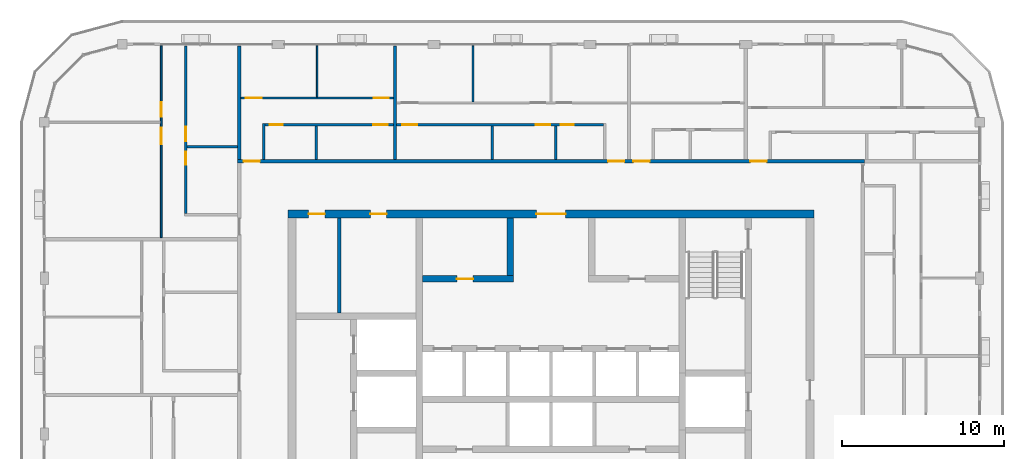
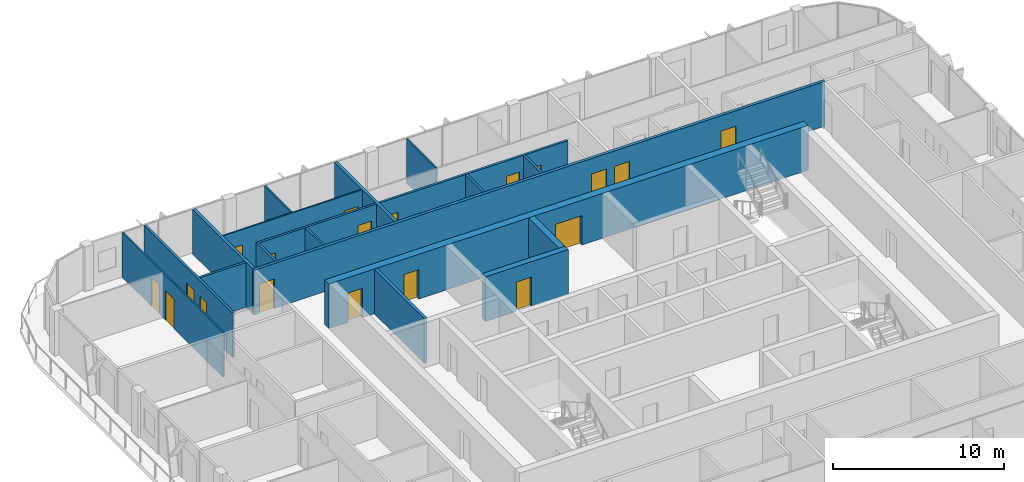
# One storey, part 13 of 21: 19 doors, 19 walls, 19 openings.
"""IFC4 building model written with IfcOpenShell, lengths in metres."""

from ifc_helpers import new_model, si_unit, direction, frame, frame_2d, origin, place, context, subcontext, project, spatial, rectangle, extrude, material, layer, layer_set, type_object, element, fill, save


model = new_model("IFC4")

# Units and contexts
model_context = context("Model", 3, precision=1e-05, world=origin(), true_north=direction((0.0, 1.0)))
body_context = subcontext(model_context, "Body", "Model", "MODEL_VIEW")
ifc_project = project(units=[si_unit("LENGTHUNIT", "METRE"), si_unit("AREAUNIT", "SQUARE_METRE"), si_unit("VOLUMEUNIT", "CUBIC_METRE"), si_unit("PLANEANGLEUNIT", "RADIAN"), si_unit("MASSUNIT", "GRAM", prefix="KILO")], contexts=[model_context])

# Site, building, storey
site_placement = place(None, origin())
site = spatial("IfcSite", under=ifc_project, at=site_placement, CompositionType="ELEMENT")
building_placement = place(site_placement, origin())
building = spatial("IfcBuilding", under=site, at=building_placement, Name="Madar Terraces", CompositionType="ELEMENT")
storey_placement = place(building_placement, frame((0.0, 0.0, 275.60009765625)))
storey = spatial("IfcBuildingStorey", under=building, at=storey_placement, Name="L72", CompositionType="ELEMENT", Elevation=275.60009765625)

# Wall, opening, door
ifc_material_1 = material(Name="Concrete C50/60", Category="concrete")
ifc_layer_1 = layer(ifc_material_1, 0.39990234375)
ifc_layer_set_1 = layer_set([ifc_layer_1], Name="Concrete C50/60 (CIW6 RC wall 400)")
wall_type_1 = type_object("IfcWallType", Name="CIW6 RC wall 400", PredefinedType="SHEAR", material=ifc_layer_set_1)
wall_1_placement = place(storey_placement, frame((23.300048828125, 33.550048828125, 0.0), z_axis=(0.0, 0.0, 1.0), x_axis=(1.0, 0.0, 0.0)))
wall_1 = element("IfcWall", 1, at=wall_1_placement, inside=storey, type_object=wall_type_1, Name="CORE SHAFT WALL", PredefinedType="SHEAR", context=body_context, shape_type="SweptSolid", body=[
    extrude(rectangle(XDim=5.599853515625, YDim=0.39990234375, at=frame_2d((2.7998046875, 0.0))), origin(), (0.0, 0.0, 1.0), 3.199951171875),
])
opening_1_placement = place(wall_1_placement, frame((2.10009765625, 0.0, 0.0)))
opening_1 = element("IfcOpeningElement", 2, at=opening_1_placement, cuts=wall_1, Name="Opening KD2", PredefinedType="OPENING", context=body_context, shape_type="SweptSolid", body=[
    extrude(rectangle(XDim=1.0, YDim=2.10009765625, at=frame_2d((0.5, 1.050048828125))), frame((0.0, 0.2099609375, 0.0), z_axis=(0.0, -1.0, 0.0), x_axis=(1.0, 0.0, 0.0)), (0.0, 0.0, 1.0), 0.419921875),
])
ifc_material_2 = material(Name="Steel door leaf", Category="steel")
door_type_1 = type_object("IfcDoorType", Name="Service room door 1000 x 2100", OperationType="NOTDEFINED", PredefinedType="DOOR", material=ifc_material_2)
door_1_placement = place(opening_1_placement, frame((1.0, 0.0, 0.0), z_axis=(0.0, 0.0, 1.0), x_axis=(-1.0, 0.0, 0.0)))
door_1 = element("IfcDoor", 3, at=door_1_placement, inside=storey, type_object=door_type_1, Name="SERVICE ROOM DOOR", OperationType="SINGLE_SWING_LEFT", OverallHeight=2.10009765625, OverallWidth=1.0, PredefinedType="DOOR", context=body_context, shape_type="SweptSolid", body=[
    extrude(rectangle(XDim=1.0, YDim=2.10009765625, at=frame_2d((0.5, 1.050048828125))), frame((0.0, 0.02490234375, 0.0), z_axis=(0.0, -1.0, 0.0), x_axis=(1.0, 0.0, 0.0)), (0.0, 0.0, 1.0), 0.050048828125),
])
fill(opening_1, door_1)

# Wall
wall_2_placement = place(storey_placement, frame((28.699951171875, 33.75, 0.0), z_axis=(0.0, 0.0, 1.0), x_axis=(0.0, 1.0, 0.0)))
element("IfcWall", 4, at=wall_2_placement, inside=storey, type_object=wall_type_1, Name="CORE SHAFT WALL", PredefinedType="SHEAR", context=body_context, shape_type="SweptSolid", body=[
    extrude(rectangle(XDim=3.550048828125, YDim=0.39990234375, at=frame_2d((1.77490234375, 0.0))), origin(), (0.0, 0.0, 1.0), 3.199951171875),
])

# Wall, openings, doors
ifc_material_3 = material(Name="Concrete C50/60", Category="concrete")
ifc_layer_2 = layer(ifc_material_3, 0.5)
ifc_layer_set_2 = layer_set([ifc_layer_2], Name="Concrete C50/60 (CRW6 RC wall 500)")
wall_type_2 = type_object("IfcWallType", Name="CRW6 RC wall 500", PredefinedType="SHEAR", material=ifc_layer_set_2)
wall_3_placement = place(storey_placement, frame((15.0, 37.550048828125, 0.0), z_axis=(0.0, 0.0, 1.0), x_axis=(1.0, 0.0, 0.0)))
wall_3 = element("IfcWall", 5, at=wall_3_placement, inside=storey, type_object=wall_type_2, Name="CORE OUTER WALL", PredefinedType="SHEAR", context=body_context, shape_type="SweptSolid", body=[
    extrude(rectangle(XDim=32.39990234375, YDim=0.5, at=frame_2d((16.199951171875, 0.0))), origin(), (0.0, 0.0, 1.0), 3.199951171875),
])
opening_2_placement = place(wall_3_placement, frame((15.300048828125, 0.0, 0.0)))
opening_2 = element("IfcOpeningElement", 6, at=opening_2_placement, cuts=wall_3, Name="Opening KD1", PredefinedType="OPENING", context=body_context, shape_type="SweptSolid", body=[
    extrude(rectangle(XDim=1.800048828125, YDim=2.10009765625, at=frame_2d((0.89990234375, 1.050048828125))), frame((0.0, 0.260009765625, 0.0), z_axis=(0.0, -1.0, 0.0), x_axis=(1.0, 0.0, 0.0)), (0.0, 0.0, 1.0), 0.52001953125),
])
opening_3_placement = place(wall_3_placement, frame((1.281982421875, 0.0, 0.0)))
opening_3 = element("IfcOpeningElement", 7, at=opening_3_placement, cuts=wall_3, Name="Opening KD2", PredefinedType="OPENING", context=body_context, shape_type="SweptSolid", body=[
    extrude(rectangle(XDim=1.0, YDim=2.10009765625, at=frame_2d((0.5, 1.050048828125))), frame((0.0, 0.260009765625, 0.0), z_axis=(0.0, -1.0, 0.0), x_axis=(1.0, 0.0, 0.0)), (0.0, 0.0, 1.0), 0.52001953125),
])
opening_4_placement = place(wall_3_placement, frame((5.08203125, 0.0, 0.0)))
opening_4 = element("IfcOpeningElement", 8, at=opening_4_placement, cuts=wall_3, Name="Opening KD2", PredefinedType="OPENING", context=body_context, shape_type="SweptSolid", body=[
    extrude(rectangle(XDim=1.0, YDim=2.10009765625, at=frame_2d((0.5, 1.050048828125))), frame((0.0, 0.260009765625, 0.0), z_axis=(0.0, -1.0, 0.0), x_axis=(1.0, 0.0, 0.0)), (0.0, 0.0, 1.0), 0.52001953125),
])
ifc_material_4 = material(Name="Steel door leaf", Category="steel")
door_type_2 = type_object("IfcDoorType", Name="Lobby door pair 1800 x 2100", OperationType="DOUBLE_DOOR_SINGLE_SWING", PredefinedType="DOOR", material=ifc_material_4)
door_2_placement = place(opening_2_placement, origin())
door_2 = element("IfcDoor", 9, at=door_2_placement, inside=storey, type_object=door_type_2, Name="LIFT LOBBY DOOR", OperationType="DOUBLE_DOOR_SINGLE_SWING", OverallHeight=2.10009765625, OverallWidth=1.800048828125, PredefinedType="DOOR", context=body_context, shape_type="SweptSolid", body=[
    extrude(rectangle(XDim=1.800048828125, YDim=2.10009765625, at=frame_2d((0.89990234375, 1.050048828125))), frame((0.0, 0.02490234375, 0.0), z_axis=(0.0, -1.0, 0.0), x_axis=(1.0, 0.0, 0.0)), (0.0, 0.0, 1.0), 0.050048828125),
])
fill(opening_2, door_2)
door_3_placement = place(opening_3_placement, origin())
door_3 = element("IfcDoor", 10, at=door_3_placement, inside=storey, type_object=door_type_1, Name="SERVICE ROOM DOOR", OperationType="SINGLE_SWING_LEFT", OverallHeight=2.10009765625, OverallWidth=1.0, PredefinedType="DOOR", context=body_context, shape_type="SweptSolid", body=[
    extrude(rectangle(XDim=1.0, YDim=2.10009765625, at=frame_2d((0.5, 1.050048828125))), frame((0.0, 0.02490234375, 0.0), z_axis=(0.0, -1.0, 0.0), x_axis=(1.0, 0.0, 0.0)), (0.0, 0.0, 1.0), 0.050048828125),
])
fill(opening_3, door_3)
door_4_placement = place(opening_4_placement, origin())
door_4 = element("IfcDoor", 11, at=door_4_placement, inside=storey, type_object=door_type_1, Name="SERVICE ROOM DOOR", OperationType="SINGLE_SWING_RIGHT", OverallHeight=2.10009765625, OverallWidth=1.0, PredefinedType="DOOR", context=body_context, shape_type="SweptSolid", body=[
    extrude(rectangle(XDim=1.0, YDim=2.10009765625, at=frame_2d((0.5, 1.050048828125))), frame((0.0, 0.02490234375, 0.0), z_axis=(0.0, -1.0, 0.0), x_axis=(1.0, 0.0, 0.0)), (0.0, 0.0, 1.0), 0.050048828125),
])
fill(opening_4, door_4)

# Walls
ifc_material_5 = material(Name="Masonry blockwork", Category="masonry")
ifc_layer_3 = layer(ifc_material_5, 0.199951171875)
ifc_layer_set_3 = layer_set([ifc_layer_3], Name="Core partition 200 blockwork")
wall_type_3 = type_object("IfcWallType", Name="Core partition 200 blockwork", PredefinedType="PARTITIONING", material=ifc_layer_set_3)
wall_4_placement = place(storey_placement, frame((18.1640625, 31.449951171875, 0.0), z_axis=(0.0, 0.0, 1.0), x_axis=(0.0, 1.0, 0.0)))
element("IfcWall", 12, at=wall_4_placement, inside=storey, type_object=wall_type_3, Name="SERVICE ROOM PARTITION", PredefinedType="PARTITIONING", context=body_context, shape_type="SweptSolid", body=[
    extrude(rectangle(XDim=5.85009765625, YDim=0.199951171875, at=frame_2d((2.925048828125, 0.0))), origin(), (0.0, 0.0, 1.0), 3.199951171875),
])
ifc_material_6 = material(Name="Gypsum board on steel studs", Category="steel")
ifc_layer_4 = layer(ifc_material_6, 0.10009765625)
ifc_layer_set_4 = layer_set([ifc_layer_4], Name="Flat partition 100")
wall_type_4 = type_object("IfcWallType", Name="Flat partition 100", PredefinedType="PARTITIONING", material=ifc_layer_set_4)
wall_5_placement = place(storey_placement, frame((26.39990234375, 44.449951171875, 0.0), z_axis=(0.0, 0.0, 1.0), x_axis=(0.0, 1.0, 0.0)))
element("IfcWall", 13, at=wall_5_placement, inside=storey, type_object=wall_type_4, Name="Flat partition 100", PredefinedType="PARTITIONING", context=body_context, shape_type="SweptSolid", body=[
    extrude(rectangle(XDim=3.449951171875, YDim=0.10009765625, at=frame_2d((1.72509765625, 0.0))), origin(), (0.0, 0.0, 1.0), 3.199951171875),
])
wall_6_placement = place(storey_placement, frame((16.800048828125, 44.75, 0.0), z_axis=(0.0, 0.0, 1.0), x_axis=(0.0, 1.0, 0.0)))
element("IfcWall", 14, at=wall_6_placement, inside=storey, type_object=wall_type_4, Name="Flat partition 100", PredefinedType="PARTITIONING", context=body_context, shape_type="SweptSolid", body=[
    extrude(rectangle(XDim=3.14990234375, YDim=0.10009765625, at=frame_2d((1.574951171875, 0.0))), origin(), (0.0, 0.0, 1.0), 3.199951171875),
])

# Wall, openings, doors
wall_7_placement = place(storey_placement, frame((12.10009765625, 44.699951171875, 0.0), z_axis=(0.0, 0.0, 1.0), x_axis=(1.0, 0.0, 0.0)))
wall_7 = element("IfcWall", 15, at=wall_7_placement, inside=storey, type_object=wall_type_4, Name="Flat partition 100", PredefinedType="PARTITIONING", context=body_context, shape_type="SweptSolid", body=[
    extrude(rectangle(XDim=9.39990234375, YDim=0.10009765625, at=frame_2d((4.699951171875, 0.0))), origin(), (0.0, 0.0, 1.0), 3.199951171875),
])
opening_5_placement = place(wall_7_placement, frame((0.300048828125, 0.0, 0.0)))
opening_5 = element("IfcOpeningElement", 16, at=opening_5_placement, cuts=wall_7, Name="Opening D3", PredefinedType="OPENING", context=body_context, shape_type="SweptSolid", body=[
    extrude(rectangle(XDim=1.0, YDim=2.10009765625, at=frame_2d((0.5, 1.050048828125))), frame((0.0, 0.06005859375, 0.0), z_axis=(0.0, -1.0, 0.0), x_axis=(1.0, 0.0, 0.0)), (0.0, 0.0, 1.0), 0.1201171875),
])
opening_6_placement = place(wall_7_placement, frame((8.199951171875, 0.0, 0.0)))
opening_6 = element("IfcOpeningElement", 17, at=opening_6_placement, cuts=wall_7, Name="Opening D2", PredefinedType="OPENING", context=body_context, shape_type="SweptSolid", body=[
    extrude(rectangle(XDim=0.89990234375, YDim=2.10009765625, at=frame_2d((0.449951171875, 1.050048828125))), frame((0.0, 0.06005859375, 0.0), z_axis=(0.0, -1.0, 0.0), x_axis=(1.0, 0.0, 0.0)), (0.0, 0.0, 1.0), 0.1201171875),
])
ifc_material_7 = material(Name="Timber door leaf", Category="wood")
door_type_3 = type_object("IfcDoorType", Name="Flat living room door 1000", OperationType="NOTDEFINED", PredefinedType="DOOR", material=ifc_material_7)
door_5_placement = place(opening_5_placement, origin())
door_5 = element("IfcDoor", 18, at=door_5_placement, inside=storey, type_object=door_type_3, Name="Flat living room door 1000", OperationType="SINGLE_SWING_LEFT", OverallHeight=2.10009765625, OverallWidth=1.0, PredefinedType="DOOR", context=body_context, shape_type="SweptSolid", body=[
    extrude(rectangle(XDim=1.0, YDim=2.10009765625, at=frame_2d((0.5, 1.050048828125))), frame((0.0, 0.02490234375, 0.0), z_axis=(0.0, -1.0, 0.0), x_axis=(1.0, 0.0, 0.0)), (0.0, 0.0, 1.0), 0.050048828125),
])
fill(opening_5, door_5)
ifc_material_8 = material(Name="Timber door leaf", Category="wood")
door_type_4 = type_object("IfcDoorType", Name="Flat room door 900", OperationType="NOTDEFINED", PredefinedType="DOOR", material=ifc_material_8)
door_6_placement = place(opening_6_placement, origin())
door_6 = element("IfcDoor", 19, at=door_6_placement, inside=storey, type_object=door_type_4, Name="Flat room door 900", OperationType="SINGLE_SWING_RIGHT", OverallHeight=2.10009765625, OverallWidth=0.89990234375, PredefinedType="DOOR", context=body_context, shape_type="SweptSolid", body=[
    extrude(rectangle(XDim=0.89990234375, YDim=2.10009765625, at=frame_2d((0.449951171875, 1.050048828125))), frame((0.0, 0.02490234375, 0.0), z_axis=(0.0, -1.0, 0.0), x_axis=(1.0, 0.0, 0.0)), (0.0, 0.0, 1.0), 0.050048828125),
])
fill(opening_6, door_6)

wall_8_placement = place(storey_placement, frame((7.199951171875, 36.10009765625, 0.0), z_axis=(0.0, 0.0, 1.0), x_axis=(0.0, 1.0, 0.0)))
wall_8 = element("IfcWall", 20, at=wall_8_placement, inside=storey, type_object=wall_type_4, Name="Flat partition 100", PredefinedType="PARTITIONING", context=body_context, shape_type="SweptSolid", body=[
    extrude(rectangle(XDim=11.7998046875, YDim=0.10009765625, at=frame_2d((5.89990234375, 0.0))), origin(), (0.0, 0.0, 1.0), 3.199951171875),
])
opening_7_placement = place(wall_8_placement, frame((5.75, 0.0, 0.0)))
opening_7 = element("IfcOpeningElement", 21, at=opening_7_placement, cuts=wall_8, Name="Opening D3", PredefinedType="OPENING", context=body_context, shape_type="SweptSolid", body=[
    extrude(rectangle(XDim=1.0, YDim=2.10009765625, at=frame_2d((0.5, 1.050048828125))), frame((0.0, 0.06005859375, 0.0), z_axis=(0.0, -1.0, 0.0), x_axis=(1.0, 0.0, 0.0)), (0.0, 0.0, 1.0), 0.1201171875),
])
opening_8_placement = place(wall_8_placement, frame((7.449951171875, 0.0, 0.0)))
opening_8 = element("IfcOpeningElement", 22, at=opening_8_placement, cuts=wall_8, Name="Opening D2", PredefinedType="OPENING", context=body_context, shape_type="SweptSolid", body=[
    extrude(rectangle(XDim=0.89990234375, YDim=2.10009765625, at=frame_2d((0.449951171875, 1.050048828125))), frame((0.0, 0.06005859375, 0.0), z_axis=(0.0, -1.0, 0.0), x_axis=(1.0, 0.0, 0.0)), (0.0, 0.0, 1.0), 0.1201171875),
])
door_7_placement = place(opening_7_placement, origin())
door_7 = element("IfcDoor", 23, at=door_7_placement, inside=storey, type_object=door_type_3, Name="Flat living room door 1000", OperationType="SINGLE_SWING_RIGHT", OverallHeight=2.10009765625, OverallWidth=1.0, PredefinedType="DOOR", context=body_context, shape_type="SweptSolid", body=[
    extrude(rectangle(XDim=1.0, YDim=2.10009765625, at=frame_2d((0.5, 1.050048828125))), frame((0.0, 0.02490234375, 0.0), z_axis=(0.0, -1.0, 0.0), x_axis=(1.0, 0.0, 0.0)), (0.0, 0.0, 1.0), 0.050048828125),
])
fill(opening_7, door_7)
door_8_placement = place(opening_8_placement, origin())
door_8 = element("IfcDoor", 24, at=door_8_placement, inside=storey, type_object=door_type_4, Name="Flat room door 900", OperationType="SINGLE_SWING_LEFT", OverallHeight=2.10009765625, OverallWidth=0.89990234375, PredefinedType="DOOR", context=body_context, shape_type="SweptSolid", body=[
    extrude(rectangle(XDim=0.89990234375, YDim=2.10009765625, at=frame_2d((0.449951171875, 1.050048828125))), frame((0.0, 0.02490234375, 0.0), z_axis=(0.0, -1.0, 0.0), x_axis=(1.0, 0.0, 0.0)), (0.0, 0.0, 1.0), 0.050048828125),
])
fill(opening_8, door_8)

ifc_material_9 = material(Name="Lightweight blockwork", Category="masonry")
ifc_layer_5 = layer(ifc_material_9, 0.199951171875)
ifc_layer_set_5 = layer_set([ifc_layer_5], Name="Flat party and entrance wall 200")
wall_type_5 = type_object("IfcWallType", Name="Flat party and entrance wall 200", PredefinedType="PARTITIONING", material=ifc_layer_set_5)
wall_9_placement = place(storey_placement, frame((11.89990234375, 40.800048828125, 0.0), z_axis=(0.0, 0.0, 1.0), x_axis=(1.0, 0.0, 0.0)))
wall_9 = element("IfcWall", 25, at=wall_9_placement, inside=storey, type_object=wall_type_5, Name="Flat party and entrance wall 200", PredefinedType="PARTITIONING", context=body_context, shape_type="SweptSolid", body=[
    extrude(rectangle(XDim=38.60009765625, YDim=0.199951171875, at=frame_2d((19.300048828125, 0.0))), origin(), (0.0, 0.0, 1.0), 3.199951171875),
])
opening_9_placement = place(wall_9_placement, frame((31.574951171875, 0.0, 0.0)))
opening_9 = element("IfcOpeningElement", 26, at=opening_9_placement, cuts=wall_9, Name="Opening D1", PredefinedType="OPENING", context=body_context, shape_type="SweptSolid", body=[
    extrude(rectangle(XDim=1.0, YDim=2.10009765625, at=frame_2d((0.5, 1.050048828125))), frame((0.0, 0.10986328125, 0.0), z_axis=(0.0, -1.0, 0.0), x_axis=(1.0, 0.0, 0.0)), (0.0, 0.0, 1.0), 0.219970703125),
])
opening_10_placement = place(wall_9_placement, frame((24.375, 0.0, 0.0)))
opening_10 = element("IfcOpeningElement", 27, at=opening_10_placement, cuts=wall_9, Name="Opening D1", PredefinedType="OPENING", context=body_context, shape_type="SweptSolid", body=[
    extrude(rectangle(XDim=1.0, YDim=2.10009765625, at=frame_2d((0.5, 1.050048828125))), frame((0.0, 0.10986328125, 0.0), z_axis=(0.0, -1.0, 0.0), x_axis=(1.0, 0.0, 0.0)), (0.0, 0.0, 1.0), 0.219970703125),
])
opening_11_placement = place(wall_9_placement, frame((22.824951171875, 0.0, 0.0)))
opening_11 = element("IfcOpeningElement", 28, at=opening_11_placement, cuts=wall_9, Name="Opening D1", PredefinedType="OPENING", context=body_context, shape_type="SweptSolid", body=[
    extrude(rectangle(XDim=1.0, YDim=2.10009765625, at=frame_2d((0.5, 1.050048828125))), frame((0.0, 0.10986328125, 0.0), z_axis=(0.0, -1.0, 0.0), x_axis=(1.0, 0.0, 0.0)), (0.0, 0.0, 1.0), 0.219970703125),
])
opening_12_placement = place(wall_9_placement, frame((0.375, 0.0, 0.0)))
opening_12 = element("IfcOpeningElement", 29, at=opening_12_placement, cuts=wall_9, Name="Opening D1", PredefinedType="OPENING", context=body_context, shape_type="SweptSolid", body=[
    extrude(rectangle(XDim=1.0, YDim=2.10009765625, at=frame_2d((0.5, 1.050048828125))), frame((0.0, 0.10986328125, 0.0), z_axis=(0.0, -1.0, 0.0), x_axis=(1.0, 0.0, 0.0)), (0.0, 0.0, 1.0), 0.219970703125),
])
ifc_material_10 = material(Name="Timber fire door leaf", Category="wood")
door_type_5 = type_object("IfcDoorType", Name="Flat entrance door 1000 FD30S", OperationType="NOTDEFINED", PredefinedType="DOOR", material=ifc_material_10)
door_9_placement = place(opening_9_placement, origin())
door_9 = element("IfcDoor", 30, at=door_9_placement, inside=storey, type_object=door_type_5, Name="Flat entrance door 1000 FD30S", OperationType="SINGLE_SWING_LEFT", OverallHeight=2.10009765625, OverallWidth=1.0, PredefinedType="DOOR", context=body_context, shape_type="SweptSolid", body=[
    extrude(rectangle(XDim=1.0, YDim=2.10009765625, at=frame_2d((0.5, 1.050048828125))), frame((0.0, 0.02490234375, 0.0), z_axis=(0.0, -1.0, 0.0), x_axis=(1.0, 0.0, 0.0)), (0.0, 0.0, 1.0), 0.050048828125),
])
fill(opening_9, door_9)
door_10_placement = place(opening_10_placement, origin())
door_10 = element("IfcDoor", 31, at=door_10_placement, inside=storey, type_object=door_type_5, Name="Flat entrance door 1000 FD30S", OperationType="SINGLE_SWING_LEFT", OverallHeight=2.10009765625, OverallWidth=1.0, PredefinedType="DOOR", context=body_context, shape_type="SweptSolid", body=[
    extrude(rectangle(XDim=1.0, YDim=2.10009765625, at=frame_2d((0.5, 1.050048828125))), frame((0.0, 0.02490234375, 0.0), z_axis=(0.0, -1.0, 0.0), x_axis=(1.0, 0.0, 0.0)), (0.0, 0.0, 1.0), 0.050048828125),
])
fill(opening_10, door_10)
door_11_placement = place(opening_11_placement, origin())
door_11 = element("IfcDoor", 32, at=door_11_placement, inside=storey, type_object=door_type_5, Name="Flat entrance door 1000 FD30S", OperationType="SINGLE_SWING_RIGHT", OverallHeight=2.10009765625, OverallWidth=1.0, PredefinedType="DOOR", context=body_context, shape_type="SweptSolid", body=[
    extrude(rectangle(XDim=1.0, YDim=2.10009765625, at=frame_2d((0.5, 1.050048828125))), frame((0.0, 0.02490234375, 0.0), z_axis=(0.0, -1.0, 0.0), x_axis=(1.0, 0.0, 0.0)), (0.0, 0.0, 1.0), 0.050048828125),
])
fill(opening_11, door_11)
door_12_placement = place(opening_12_placement, origin())
door_12 = element("IfcDoor", 33, at=door_12_placement, inside=storey, type_object=door_type_5, Name="Flat entrance door 1000 FD30S", OperationType="SINGLE_SWING_LEFT", OverallHeight=2.10009765625, OverallWidth=1.0, PredefinedType="DOOR", context=body_context, shape_type="SweptSolid", body=[
    extrude(rectangle(XDim=1.0, YDim=2.10009765625, at=frame_2d((0.5, 1.050048828125))), frame((0.0, 0.02490234375, 0.0), z_axis=(0.0, -1.0, 0.0), x_axis=(1.0, 0.0, 0.0)), (0.0, 0.0, 1.0), 0.050048828125),
])
fill(opening_12, door_12)

# Walls
for number, where, z_axis, x_axis, name in (
    (34, (21.60009765625, 47.89990234375, 0.0), (0.0, 0.0, 1.0), (0.0, -1.0, 0.0), "Flat party and entrance wall 200"),
    (35, (12.0, 47.89990234375, 0.0), (0.0, 0.0, 1.0), (0.0, -1.0, 0.0), "Flat party and entrance wall 200"),
):
    element("IfcWall", number, at=place(storey_placement, frame(where, z_axis=z_axis, x_axis=x_axis)), inside=storey, type_object=wall_type_5, Name=name, PredefinedType="PARTITIONING", context=body_context, shape_type="SweptSolid", body=[
        extrude(rectangle(XDim=7.0, YDim=0.199951171875, at=frame_2d((3.5, 0.0))), origin(), (0.0, 0.0, 1.0), 3.199951171875),
    ])
ifc_material_11 = material(Name="Lightweight blockwork", Category="masonry")
ifc_layer_6 = layer(ifc_material_11, 0.14990234375)
ifc_layer_set_6 = layer_set([ifc_layer_6], Name="Flat wet-room partition 150")
wall_type_6 = type_object("IfcWallType", Name="Flat wet-room partition 150", PredefinedType="PARTITIONING", material=ifc_layer_set_6)
for number, where, z_axis, x_axis, name in (
    (36, (31.488525390625, 40.89990234375, 0.0), (0.0, 0.0, 1.0), (0.0, 1.0, 0.0), "Flat wet-room partition 150"),
    (37, (27.572998046875, 40.89990234375, 0.0), (0.0, 0.0, 1.0), (0.0, 1.0, 0.0), "Flat wet-room partition 150"),
):
    element("IfcWall", number, at=place(storey_placement, frame(where, z_axis=z_axis, x_axis=x_axis)), inside=storey, type_object=wall_type_6, Name=name, PredefinedType="PARTITIONING", context=body_context, shape_type="SweptSolid", body=[
        extrude(rectangle(XDim=2.0751953125, YDim=0.14990234375, at=frame_2d((1.03759765625, 0.0))), origin(), (0.0, 0.0, 1.0), 3.199951171875),
    ])

# Wall, openings, doors
wall_10_placement = place(storey_placement, frame((34.425048828125, 43.050048828125, 0.0), z_axis=(0.0, 0.0, 1.0), x_axis=(-1.0, 0.0, 0.0)))
wall_10 = element("IfcWall", 38, at=wall_10_placement, inside=storey, type_object=wall_type_6, Name="Flat wet-room partition 150", PredefinedType="PARTITIONING", context=body_context, shape_type="SweptSolid", body=[
    extrude(rectangle(XDim=12.72509765625, YDim=0.14990234375, at=frame_2d((6.362548828125, 0.0))), origin(), (0.0, 0.0, 1.0), 3.199951171875),
])
opening_13_placement = place(wall_10_placement, frame((1.8115234375, 0.0, 0.0)))
opening_13 = element("IfcOpeningElement", 39, at=opening_13_placement, cuts=wall_10, Name="Opening D4", PredefinedType="OPENING", context=body_context, shape_type="SweptSolid", body=[
    extrude(rectangle(XDim=0.800048828125, YDim=2.10009765625, at=frame_2d((0.39990234375, 1.050048828125))), frame((0.0, 0.0849609375, 0.0), z_axis=(0.0, -1.0, 0.0), x_axis=(1.0, 0.0, 0.0)), (0.0, 0.0, 1.0), 0.169921875),
])
opening_14_placement = place(wall_10_placement, frame((3.261474609375, 0.0, 0.0)))
opening_14 = element("IfcOpeningElement", 40, at=opening_14_placement, cuts=wall_10, Name="Opening D5", PredefinedType="OPENING", context=body_context, shape_type="SweptSolid", body=[
    extrude(rectangle(XDim=0.89990234375, YDim=2.10009765625, at=frame_2d((0.449951171875, 1.050048828125))), frame((0.0, 0.0849609375, 0.0), z_axis=(0.0, -1.0, 0.0), x_axis=(1.0, 0.0, 0.0)), (0.0, 0.0, 1.0), 0.169921875),
])
opening_15_placement = place(wall_10_placement, frame((11.47509765625, 0.0, 0.0)))
opening_15 = element("IfcOpeningElement", 41, at=opening_15_placement, cuts=wall_10, Name="Opening D2", PredefinedType="OPENING", context=body_context, shape_type="SweptSolid", body=[
    extrude(rectangle(XDim=0.89990234375, YDim=2.10009765625, at=frame_2d((0.449951171875, 1.050048828125))), frame((0.0, 0.0849609375, 0.0), z_axis=(0.0, -1.0, 0.0), x_axis=(1.0, 0.0, 0.0)), (0.0, 0.0, 1.0), 0.169921875),
])
ifc_material_12 = material(Name="Timber door leaf", Category="wood")
door_type_6 = type_object("IfcDoorType", Name="Flat accessible bathroom door 900", OperationType="NOTDEFINED", PredefinedType="DOOR", material=ifc_material_12)
door_13_placement = place(opening_14_placement, origin())
door_13 = element("IfcDoor", 42, at=door_13_placement, inside=storey, type_object=door_type_6, Name="Flat accessible bathroom door 900", OperationType="SINGLE_SWING_LEFT", OverallHeight=2.10009765625, OverallWidth=0.89990234375, PredefinedType="DOOR", context=body_context, shape_type="SweptSolid", body=[
    extrude(rectangle(XDim=0.89990234375, YDim=2.10009765625, at=frame_2d((0.449951171875, 1.050048828125))), frame((0.0, 0.02490234375, 0.0), z_axis=(0.0, -1.0, 0.0), x_axis=(1.0, 0.0, 0.0)), (0.0, 0.0, 1.0), 0.050048828125),
])
fill(opening_14, door_13)
ifc_material_13 = material(Name="Timber door leaf", Category="wood")
door_type_7 = type_object("IfcDoorType", Name="Flat bathroom door 800", OperationType="NOTDEFINED", PredefinedType="DOOR", material=ifc_material_13)
door_14_placement = place(opening_13_placement, origin())
door_14 = element("IfcDoor", 43, at=door_14_placement, inside=storey, type_object=door_type_7, Name="Flat bathroom door 800", OperationType="SINGLE_SWING_RIGHT", OverallHeight=2.10009765625, OverallWidth=0.800048828125, PredefinedType="DOOR", context=body_context, shape_type="SweptSolid", body=[
    extrude(rectangle(XDim=0.800048828125, YDim=2.10009765625, at=frame_2d((0.39990234375, 1.050048828125))), frame((0.0, 0.02490234375, 0.0), z_axis=(0.0, -1.0, 0.0), x_axis=(1.0, 0.0, 0.0)), (0.0, 0.0, 1.0), 0.050048828125),
])
fill(opening_13, door_14)
door_15_placement = place(opening_15_placement, origin())
door_15 = element("IfcDoor", 44, at=door_15_placement, inside=storey, type_object=door_type_4, Name="Flat room door 900", OperationType="SINGLE_SWING_RIGHT", OverallHeight=2.10009765625, OverallWidth=0.89990234375, PredefinedType="DOOR", context=body_context, shape_type="SweptSolid", body=[
    extrude(rectangle(XDim=0.89990234375, YDim=2.10009765625, at=frame_2d((0.449951171875, 1.050048828125))), frame((0.0, 0.02490234375, 0.0), z_axis=(0.0, -1.0, 0.0), x_axis=(1.0, 0.0, 0.0)), (0.0, 0.0, 1.0), 0.050048828125),
])
fill(opening_15, door_15)

# Walls
wall_11_placement = place(storey_placement, frame((16.7451171875, 40.89990234375, 0.0), z_axis=(0.0, 0.0, 1.0), x_axis=(0.0, 1.0, 0.0)))
element("IfcWall", 45, at=wall_11_placement, inside=storey, type_object=wall_type_6, Name="Flat wet-room partition 150", PredefinedType="PARTITIONING", context=body_context, shape_type="SweptSolid", body=[
    extrude(rectangle(XDim=2.0751953125, YDim=0.14990234375, at=frame_2d((1.03759765625, 0.0))), origin(), (0.0, 0.0, 1.0), 3.199951171875),
])
wall_12_placement = place(storey_placement, frame((13.5, 40.89990234375, 0.0), z_axis=(0.0, 0.0, 1.0), x_axis=(0.0, 1.0, 0.0)))
element("IfcWall", 46, at=wall_12_placement, inside=storey, type_object=wall_type_6, Name="Flat wet-room partition 150", PredefinedType="PARTITIONING", context=body_context, shape_type="SweptSolid", body=[
    extrude(rectangle(XDim=2.22509765625, YDim=0.14990234375, at=frame_2d((1.112548828125, 0.0))), origin(), (0.0, 0.0, 1.0), 3.199951171875),
])

# Wall, openings, doors
wall_13_placement = place(storey_placement, frame((21.5, 43.050048828125, 0.0), z_axis=(0.0, 0.0, 1.0), x_axis=(-1.0, 0.0, 0.0)))
wall_13 = element("IfcWall", 47, at=wall_13_placement, inside=storey, type_object=wall_type_6, Name="Flat wet-room partition 150", PredefinedType="PARTITIONING", context=body_context, shape_type="SweptSolid", body=[
    extrude(rectangle(XDim=7.925048828125, YDim=0.14990234375, at=frame_2d((3.96240234375, 0.0))), origin(), (0.0, 0.0, 1.0), 3.199951171875),
])
opening_16_placement = place(wall_13_placement, frame((6.824951171875, 0.0, 0.0)))
opening_16 = element("IfcOpeningElement", 48, at=opening_16_placement, cuts=wall_13, Name="Opening D4", PredefinedType="OPENING", context=body_context, shape_type="SweptSolid", body=[
    extrude(rectangle(XDim=0.800048828125, YDim=2.10009765625, at=frame_2d((0.39990234375, 1.050048828125))), frame((0.0, 0.0849609375, 0.0), z_axis=(0.0, -1.0, 0.0), x_axis=(1.0, 0.0, 0.0)), (0.0, 0.0, 1.0), 0.169921875),
])
opening_17_placement = place(wall_13_placement, frame((0.35009765625, 0.0, 0.0)))
opening_17 = element("IfcOpeningElement", 49, at=opening_17_placement, cuts=wall_13, Name="Opening D2", PredefinedType="OPENING", context=body_context, shape_type="SweptSolid", body=[
    extrude(rectangle(XDim=0.89990234375, YDim=2.10009765625, at=frame_2d((0.449951171875, 1.050048828125))), frame((0.0, 0.0849609375, 0.0), z_axis=(0.0, -1.0, 0.0), x_axis=(1.0, 0.0, 0.0)), (0.0, 0.0, 1.0), 0.169921875),
])
door_16_placement = place(opening_16_placement, origin())
door_16 = element("IfcDoor", 50, at=door_16_placement, inside=storey, type_object=door_type_7, Name="Flat bathroom door 800", OperationType="SINGLE_SWING_RIGHT", OverallHeight=2.10009765625, OverallWidth=0.800048828125, PredefinedType="DOOR", context=body_context, shape_type="SweptSolid", body=[
    extrude(rectangle(XDim=0.800048828125, YDim=2.10009765625, at=frame_2d((0.39990234375, 1.050048828125))), frame((0.0, 0.02490234375, 0.0), z_axis=(0.0, -1.0, 0.0), x_axis=(1.0, 0.0, 0.0)), (0.0, 0.0, 1.0), 0.050048828125),
])
fill(opening_16, door_16)
door_17_placement = place(opening_17_placement, origin())
door_17 = element("IfcDoor", 51, at=door_17_placement, inside=storey, type_object=door_type_4, Name="Flat room door 900", OperationType="SINGLE_SWING_LEFT", OverallHeight=2.10009765625, OverallWidth=0.89990234375, PredefinedType="DOOR", context=body_context, shape_type="SweptSolid", body=[
    extrude(rectangle(XDim=0.89990234375, YDim=2.10009765625, at=frame_2d((0.449951171875, 1.050048828125))), frame((0.0, 0.02490234375, 0.0), z_axis=(0.0, -1.0, 0.0), x_axis=(1.0, 0.0, 0.0)), (0.0, 0.0, 1.0), 0.050048828125),
])
fill(opening_17, door_17)

# Wall
wall_14_placement = place(storey_placement, frame((11.89990234375, 41.705078125, 0.0), z_axis=(0.0, 0.0, 1.0), x_axis=(-1.0, 0.0, 0.0)))
element("IfcWall", 52, at=wall_14_placement, inside=storey, type_object=wall_type_6, Name="Flat wet-room partition 150", PredefinedType="PARTITIONING", context=body_context, shape_type="SweptSolid", body=[
    extrude(rectangle(XDim=3.125, YDim=0.14990234375, at=frame_2d((1.5625, 0.0))), origin(), (0.0, 0.0, 1.0), 3.199951171875),
])

# Wall, openings, doors
wall_15_placement = place(storey_placement, frame((8.699951171875, 47.89990234375, 0.0), z_axis=(0.0, 0.0, 1.0), x_axis=(0.0, -1.0, 0.0)))
wall_15 = element("IfcWall", 53, at=wall_15_placement, inside=storey, type_object=wall_type_6, Name="Flat wet-room partition 150", PredefinedType="PARTITIONING", context=body_context, shape_type="SweptSolid", body=[
    extrude(rectangle(XDim=10.324951171875, YDim=0.14990234375, at=frame_2d((5.16259765625, 0.0))), origin(), (0.0, 0.0, 1.0), 3.199951171875),
])
opening_18_placement = place(wall_15_placement, frame((6.52001953125, 0.0, 0.0)))
opening_18 = element("IfcOpeningElement", 54, at=opening_18_placement, cuts=wall_15, Name="Opening D4", PredefinedType="OPENING", context=body_context, shape_type="SweptSolid", body=[
    extrude(rectangle(XDim=0.800048828125, YDim=2.10009765625, at=frame_2d((0.39990234375, 1.050048828125))), frame((0.0, 0.0849609375, 0.0), z_axis=(0.0, -1.0, 0.0), x_axis=(1.0, 0.0, 0.0)), (0.0, 0.0, 1.0), 0.169921875),
])
opening_19_placement = place(wall_15_placement, frame((4.969970703125, 0.0, 0.0)))
opening_19 = element("IfcOpeningElement", 55, at=opening_19_placement, cuts=wall_15, Name="Opening D2", PredefinedType="OPENING", context=body_context, shape_type="SweptSolid", body=[
    extrude(rectangle(XDim=0.89990234375, YDim=2.10009765625, at=frame_2d((0.449951171875, 1.050048828125))), frame((0.0, 0.0849609375, 0.0), z_axis=(0.0, -1.0, 0.0), x_axis=(1.0, 0.0, 0.0)), (0.0, 0.0, 1.0), 0.169921875),
])
door_18_placement = place(opening_18_placement, origin())
door_18 = element("IfcDoor", 56, at=door_18_placement, inside=storey, type_object=door_type_7, Name="Flat bathroom door 800", OperationType="SINGLE_SWING_LEFT", OverallHeight=2.10009765625, OverallWidth=0.800048828125, PredefinedType="DOOR", context=body_context, shape_type="SweptSolid", body=[
    extrude(rectangle(XDim=0.800048828125, YDim=2.10009765625, at=frame_2d((0.39990234375, 1.050048828125))), frame((0.0, 0.02490234375, 0.0), z_axis=(0.0, -1.0, 0.0), x_axis=(1.0, 0.0, 0.0)), (0.0, 0.0, 1.0), 0.050048828125),
])
fill(opening_18, door_18)
door_19_placement = place(opening_19_placement, origin())
door_19 = element("IfcDoor", 57, at=door_19_placement, inside=storey, type_object=door_type_4, Name="Flat room door 900", OperationType="SINGLE_SWING_RIGHT", OverallHeight=2.10009765625, OverallWidth=0.89990234375, PredefinedType="DOOR", context=body_context, shape_type="SweptSolid", body=[
    extrude(rectangle(XDim=0.89990234375, YDim=2.10009765625, at=frame_2d((0.449951171875, 1.050048828125))), frame((0.0, 0.02490234375, 0.0), z_axis=(0.0, -1.0, 0.0), x_axis=(1.0, 0.0, 0.0)), (0.0, 0.0, 1.0), 0.050048828125),
])
fill(opening_19, door_19)

save(model, "model.ifc")
